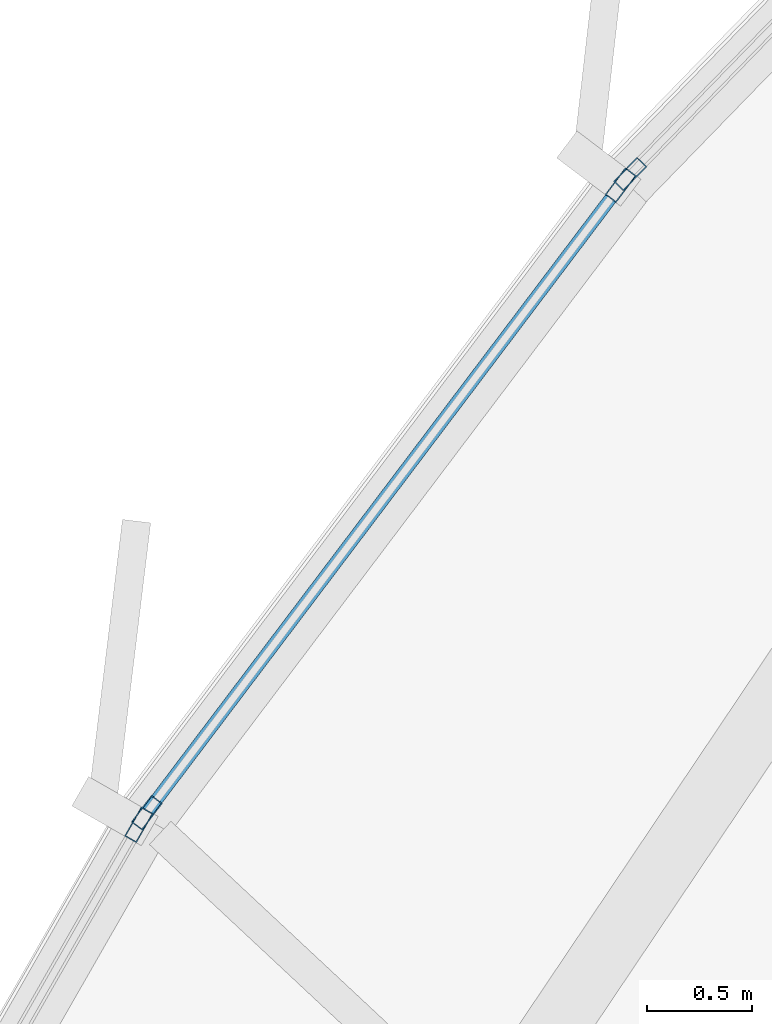
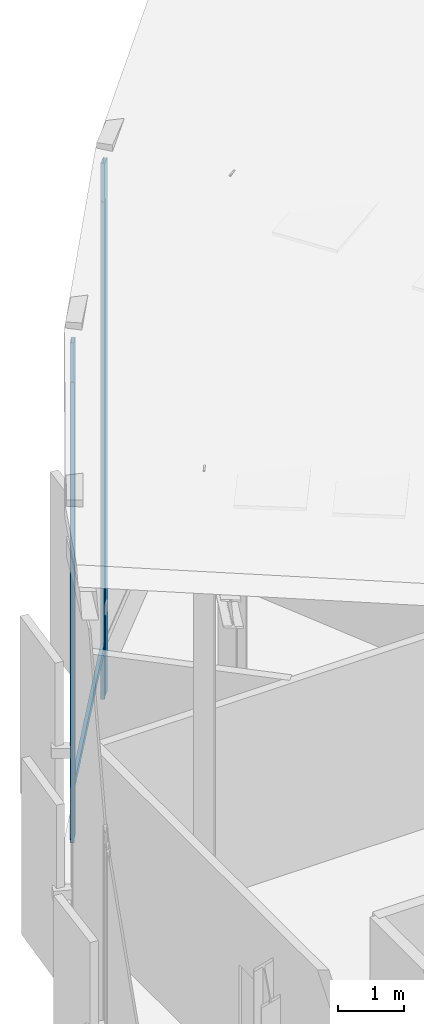
# One storey, part 17 of 36: 5 members, 3 elements without a shape of their own.
"""IFC4 building model written with IfcOpenShell, lengths in metres."""

from ifc_helpers import new_model, si_unit, direction, frame, origin, origin_2d, place, context, subcontext, project, spatial, hollow_rectangle, extrude, source, transform, mapped, material, layer, layer_set, material_profile, profile_set, type_object, element, aggregate, save


model = new_model("IFC4")

# Units and contexts
model_context = context("Model", 3, precision=1e-05, world=origin(), true_north=direction((0.0, 1.0)))
body_context = subcontext(model_context, "Body", "Model", "MODEL_VIEW")
ifc_project = project(units=[si_unit("LENGTHUNIT", "METRE"), si_unit("AREAUNIT", "SQUARE_METRE"), si_unit("VOLUMEUNIT", "CUBIC_METRE"), si_unit("PLANEANGLEUNIT", "RADIAN"), si_unit("MASSUNIT", "GRAM", prefix="KILO"), si_unit("THERMODYNAMICTEMPERATUREUNIT", "KELVIN")], contexts=[model_context])

# Site, building, storey
site_placement = place(None, origin())
site = spatial("IfcSite", under=ifc_project, at=site_placement, CompositionType="ELEMENT")
building_placement = place(site_placement, origin())
building = spatial("IfcBuilding", under=site, at=building_placement, Name="Kethvar Cultural Tower", CompositionType="ELEMENT")
storey_placement = place(building_placement, frame((0.0, 0.0, 324.300048828125)))
storey = spatial("IfcBuildingStorey", under=building, at=storey_placement, Name="L86", CompositionType="ELEMENT", Elevation=324.300048828125)

# Curtain wall, member
ifc_material = material(Name="Aluminium 6063-T6", Category="aluminium")
ifc_layer = layer(ifc_material, 0.179931640625, Name="Aluminium 6063-T6", Category="aluminium")
ifc_layer_set = layer_set([ifc_layer], Name="Aluminium 6063-T6 (180 mm)")
curtain_wall_type = type_object("IfcCurtainWallType", Name="CW-SYS-06-CROWN", PredefinedType="NOTDEFINED", material=ifc_layer_set)
curtain_wall_1_placement = place(storey_placement, origin())
curtain_wall_1 = element("IfcCurtainWall", 1, at=curtain_wall_1_placement, inside=storey, type_object=curtain_wall_type, Name="L86 Curtain Wall Run 07", PredefinedType="NOTDEFINED")
ifc_material_profile_1 = material_profile(ifc_material, hollow_rectangle(XDim=0.06005859375, YDim=0.139892578125, WallThickness=0.0048828125, at=origin_2d()), Name="Aluminium 6063-T6 — RHS140x60x5")
ifc_profile_set_1 = profile_set([ifc_material_profile_1], Name="Aluminium 6063-T6 — RHS140x60x5")
member_type_1 = type_object("IfcMemberType", Name="CW-SYS-06-CROWN-TRN", PredefinedType="USERDEFINED", material=ifc_profile_set_1)
shared_shape_1 = source(origin(), body_context, "Body", "SweptSolid", [
    extrude(hollow_rectangle(XDim=0.06005859375, YDim=0.139892578125, WallThickness=0.0048828125, at=origin_2d()), origin(), (0.0, 0.0, 1.0), 3.718994140625),
])
member_1_placement = place(storey_placement, frame((36.308837890625, 42.553466796875, 0.949951171875), z_axis=(-0.602643621195, -0.798010442183, 0.0), x_axis=(0.798010442183, -0.602643621195, 0.0)))
member_1 = element("IfcMember", 2, at=member_1_placement, type_object=member_type_1, Name="CW-L86-R07 Transom 1", ObjectType="TRANSOM", PredefinedType="USERDEFINED", context=body_context, shape_type="MappedRepresentation", body=[
    mapped(shared_shape_1, transform((0.0, 0.0, 0.0), scale=1.0)),
])

curtain_wall_2_placement = place(storey_placement, origin())
curtain_wall_2 = element("IfcCurtainWall", 3, at=curtain_wall_2_placement, inside=storey, type_object=curtain_wall_type, Name="L86 Curtain Wall Run 06", PredefinedType="NOTDEFINED")
ifc_material_profile_2 = material_profile(ifc_material, hollow_rectangle(XDim=0.06494140625, YDim=0.159912109375, WallThickness=0.0048828125, at=origin_2d()), Name="Aluminium 6063-T6 — RHS160x65x5")
ifc_profile_set_2 = profile_set([ifc_material_profile_2], Name="Aluminium 6063-T6 — RHS160x65x5")
member_type_2 = type_object("IfcMemberType", Name="CW-SYS-06-CROWN-MUL", PredefinedType="MULLION", material=ifc_profile_set_2)
shared_shape_2 = source(origin(), body_context, "Body", "SweptSolid", [
    extrude(hollow_rectangle(XDim=0.06494140625, YDim=0.159912109375, WallThickness=0.0048828125, at=origin_2d()), origin(), (0.0, 0.0, 1.0), 9.821533203125),
])
member_2_placement = place(storey_placement, frame((36.356689453125, 42.60986328125, 0.0), z_axis=(0.0, 0.0, 1.0), x_axis=(0.717239059352, -0.696827189294, 0.0)))
member_2 = element("IfcMember", 4, at=member_2_placement, type_object=member_type_2, Name="CW-L86-R06 Mullion 2", PredefinedType="MULLION", context=body_context, shape_type="MappedRepresentation", body=[
    mapped(shared_shape_2, transform((0.0, 0.0, 0.0), scale=1.0)),
])
aggregate(curtain_wall_2, [member_2])

# Member
shared_shape_3 = source(origin(), body_context, "Body", "SweptSolid", [
    extrude(hollow_rectangle(XDim=0.06494140625, YDim=0.159912109375, WallThickness=0.0048828125, at=origin_2d()), origin(), (0.0, 0.0, 1.0), 9.15478515625),
])
member_3_placement = place(storey_placement, frame((36.3115234375, 42.55712890625, 0.0), z_axis=(0.0, 0.0, 1.0), x_axis=(0.798015371166, -0.602637094264, 0.0)))
member_3 = element("IfcMember", 5, at=member_3_placement, type_object=member_type_2, Name="CW-L86-R07 Mullion 1", PredefinedType="MULLION", context=body_context, shape_type="MappedRepresentation", body=[
    mapped(shared_shape_3, transform((0.0, 0.0, 0.0), scale=1.0)),
])

member_4_placement = place(storey_placement, frame((34.06494140625, 39.58203125, 0.0), z_axis=(0.0, 0.0, 1.0), x_axis=(0.798015371166, -0.602637094264, 0.0)))
member_4 = element("IfcMember", 6, at=member_4_placement, type_object=member_type_2, Name="CW-L86-R07 Mullion 2", PredefinedType="MULLION", context=body_context, shape_type="MappedRepresentation", body=[
    mapped(shared_shape_3, transform((0.0, 0.0, 0.0), scale=1.0)),
])

aggregate(curtain_wall_1, [member_3, member_4, member_1])

# Curtain wall, member
curtain_wall_3_placement = place(storey_placement, origin())
curtain_wall_3 = element("IfcCurtainWall", 7, at=curtain_wall_3_placement, inside=storey, type_object=curtain_wall_type, Name="L86 Curtain Wall Run 08", PredefinedType="NOTDEFINED")
shared_shape_4 = source(origin(), body_context, "Body", "SweptSolid", [
    extrude(hollow_rectangle(XDim=0.06494140625, YDim=0.159912109375, WallThickness=0.0048828125, at=origin_2d()), origin(), (0.0, 0.0, 1.0), 8.479736328125),
])
member_5_placement = place(storey_placement, frame((34.02685546875, 39.5244140625, 0.0), z_axis=(0.0, 0.0, 1.0), x_axis=(0.867774127069, -0.496958815588, 0.0)))
member_5 = element("IfcMember", 8, at=member_5_placement, type_object=member_type_2, Name="CW-L86-R08 Mullion 1", PredefinedType="MULLION", context=body_context, shape_type="MappedRepresentation", body=[
    mapped(shared_shape_4, transform((0.0, 0.0, 0.0), scale=1.0)),
])
aggregate(curtain_wall_3, [member_5])

save(model, "model.ifc")
